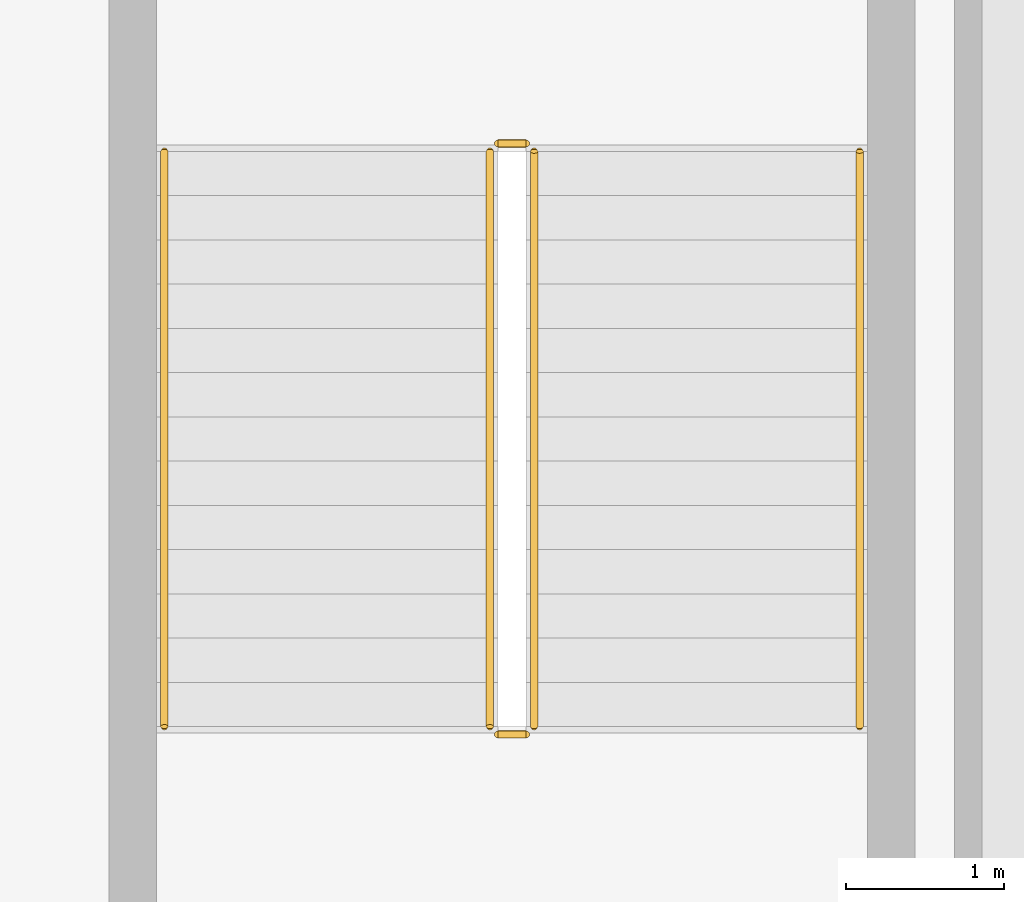
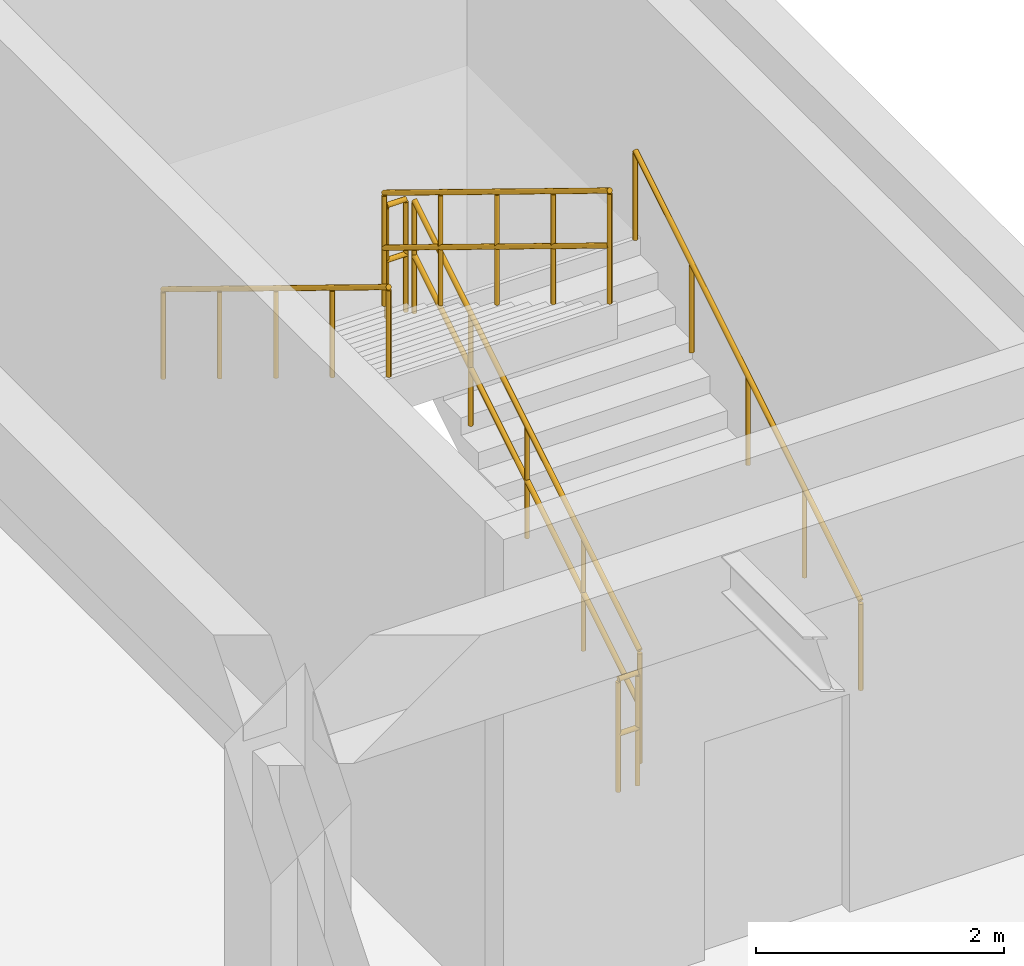
# One storey, part 106 of 109: 6 railings.
"""IFC4 building model written with IfcOpenShell, lengths in metres."""

from ifc_helpers import new_model, si_unit, direction, frame, origin, origin_2d, place, context, subcontext, project, spatial, circle, extrude, material, layer, layer_set, type_object, element, save


model = new_model("IFC4")

# Units and contexts
model_context = context("Model", 3, precision=1e-05, world=origin(), true_north=direction((0.0, 1.0)))
body_context = subcontext(model_context, "Body", "Model", "MODEL_VIEW")
ifc_project = project(units=[si_unit("LENGTHUNIT", "METRE"), si_unit("AREAUNIT", "SQUARE_METRE"), si_unit("VOLUMEUNIT", "CUBIC_METRE"), si_unit("PLANEANGLEUNIT", "RADIAN"), si_unit("MASSUNIT", "GRAM", prefix="KILO")], contexts=[model_context])

# Site, building, storey
site_placement = place(None, origin())
site = spatial("IfcSite", under=ifc_project, at=site_placement, CompositionType="ELEMENT")
building_placement = place(site_placement, origin())
building = spatial("IfcBuilding", under=site, at=building_placement, Name="Kivolera Central Railway Station", CompositionType="ELEMENT")
storey_placement = place(building_placement, frame((0.0, 0.0, 9.60009765625)))
storey = spatial("IfcBuildingStorey", under=building, at=storey_placement, Name="L02", CompositionType="ELEMENT", Elevation=9.60009765625)

# Railings
ifc_material = material(Name="Anodised aluminium", Category="aluminium")
ifc_layer_1 = layer(ifc_material, 0.048095703125, Name="Anodised aluminium")
ifc_layer_set_1 = layer_set([ifc_layer_1], Name="Anodised aluminium")
railing_type_1 = type_object("IfcRailingType", Name="RL-STAIR-GUARD", PredefinedType="GUARDRAIL", material=ifc_layer_set_1)
railing_1_placement = place(storey_placement, frame((192.989990234375, 92.9599609375, 0.17138671875)))
element("IfcRailing", 1, at=railing_1_placement, inside=storey, type_object=railing_type_1, Name="L02 ST11 stair guard 1", PredefinedType="GUARDRAIL", context=body_context, shape_type="SweptSolid", body=[
    extrude(circle(Radius=0.02392578125, at=origin_2d()), frame((0.0, 0.0, 1.10595703125), z_axis=(0.0, 0.852865859571, 0.52213008492), x_axis=(-1.0, 0.0, 0.0)), (0.0, 0.0, 1.0), 4.26806640625),
    extrude(circle(Radius=0.02392578125, at=origin_2d()), frame((0.0, 0.0, 0.56494140625), z_axis=(0.0, 0.852865859571, 0.52213008492), x_axis=(-1.0, 0.0, 0.0)), (0.0, 0.0, 1.0), 4.26806640625),
    extrude(circle(Radius=0.02099609375, at=origin_2d()), origin(), (0.0, 0.0, 1.0), 1.081787109375),
    extrude(circle(Radius=0.02099609375, at=origin_2d()), frame((0.0, 0.91015625, 0.55712890625)), (0.0, 0.0, 1.0), 1.081787109375),
    extrude(circle(Radius=0.02099609375, at=origin_2d()), frame((0.0, 1.820068359375, 1.1142578125)), (0.0, 0.0, 1.0), 1.081787109375),
    extrude(circle(Radius=0.02099609375, at=origin_2d()), frame((0.0, 2.72998046875, 1.67138671875)), (0.0, 0.0, 1.0), 1.081787109375),
    extrude(circle(Radius=0.02099609375, at=origin_2d()), frame((0.0, 3.64013671875, 2.228515625)), (0.0, 0.0, 1.0), 1.081787109375),
])
railing_2_placement = place(storey_placement, frame((192.93994140625, 96.64990234375, 2.39990234375)))
element("IfcRailing", 2, at=railing_2_placement, inside=storey, type_object=railing_type_1, Name="L02 ST11 stair guard 2", PredefinedType="GUARDRAIL", context=body_context, shape_type="SweptSolid", body=[
    extrude(circle(Radius=0.02392578125, at=origin_2d()), frame((0.0, 0.0, 1.10595703125), z_axis=(-1.0, 0.0, 0.0), x_axis=(0.0, -1.0, 0.0)), (0.0, 0.0, 1.0), 0.179931640625),
    extrude(circle(Radius=0.02392578125, at=origin_2d()), frame((0.0, 0.0, 0.56494140625), z_axis=(-1.0, 0.0, 0.0), x_axis=(0.0, -1.0, 0.0)), (0.0, 0.0, 1.0), 0.179931640625),
    extrude(circle(Radius=0.02099609375, at=origin_2d()), origin(), (0.0, 0.0, 1.0), 1.081787109375),
    extrude(circle(Radius=0.02099609375, at=origin_2d()), frame((-0.179931640625, 0.0, 0.0)), (0.0, 0.0, 1.0), 1.081787109375),
])
railing_3_placement = place(storey_placement, frame((192.7099609375, 96.60009765625, 2.5712890625)))
element("IfcRailing", 3, at=railing_3_placement, inside=storey, type_object=railing_type_1, Name="L02 ST11 stair guard 3", PredefinedType="GUARDRAIL", context=body_context, shape_type="SweptSolid", body=[
    extrude(circle(Radius=0.02392578125, at=origin_2d()), frame((0.0, 0.0, 1.10595703125), z_axis=(0.0, -0.852865859571, 0.52213008492), x_axis=(1.0, 0.0, 0.0)), (0.0, 0.0, 1.0), 4.26806640625),
    extrude(circle(Radius=0.02392578125, at=origin_2d()), frame((0.0, 0.0, 0.56494140625), z_axis=(0.0, -0.852865859571, 0.52213008492), x_axis=(1.0, 0.0, 0.0)), (0.0, 0.0, 1.0), 4.26806640625),
    extrude(circle(Radius=0.02099609375, at=origin_2d()), origin(), (0.0, 0.0, 1.0), 1.081787109375),
    extrude(circle(Radius=0.02099609375, at=origin_2d()), frame((0.0, -0.91015625, 0.55712890625)), (0.0, 0.0, 1.0), 1.081787109375),
    extrude(circle(Radius=0.02099609375, at=origin_2d()), frame((0.0, -1.820068359375, 1.1142578125)), (0.0, 0.0, 1.0), 1.081787109375),
    extrude(circle(Radius=0.02099609375, at=origin_2d()), frame((0.0, -2.72998046875, 1.67138671875)), (0.0, 0.0, 1.0), 1.081787109375),
    extrude(circle(Radius=0.02099609375, at=origin_2d()), frame((0.0, -3.64013671875, 2.228515625)), (0.0, 0.0, 1.0), 1.081787109375),
])
railing_4_placement = place(storey_placement, frame((192.93994140625, 92.909912109375, 0.0)))
element("IfcRailing", 4, at=railing_4_placement, inside=storey, type_object=railing_type_1, Name="L02 ST11 stair guard 4", PredefinedType="GUARDRAIL", context=body_context, shape_type="SweptSolid", body=[
    extrude(circle(Radius=0.02392578125, at=origin_2d()), frame((0.0, 0.0, 1.10595703125), z_axis=(-1.0, 0.0, 0.0), x_axis=(0.0, -1.0, 0.0)), (0.0, 0.0, 1.0), 0.179931640625),
    extrude(circle(Radius=0.02392578125, at=origin_2d()), frame((0.0, 0.0, 0.56494140625), z_axis=(-1.0, 0.0, 0.0), x_axis=(0.0, -1.0, 0.0)), (0.0, 0.0, 1.0), 0.179931640625),
    extrude(circle(Radius=0.02099609375, at=origin_2d()), origin(), (0.0, 0.0, 1.0), 1.081787109375),
    extrude(circle(Radius=0.02099609375, at=origin_2d()), frame((-0.179931640625, 0.0, 0.0)), (0.0, 0.0, 1.0), 1.081787109375),
])
ifc_layer_2 = layer(ifc_material, 0.048095703125, Name="Anodised aluminium")
ifc_layer_set_2 = layer_set([ifc_layer_2], Name="Anodised aluminium")
railing_type_2 = type_object("IfcRailingType", Name="RL-STAIR-HAND", PredefinedType="HANDRAIL", material=ifc_layer_set_2)
railing_5_placement = place(storey_placement, frame((195.050048828125, 92.9599609375, 0.17138671875)))
element("IfcRailing", 5, at=railing_5_placement, inside=storey, type_object=railing_type_2, Name="L02 ST11 stair handrail 1", PredefinedType="HANDRAIL", context=body_context, shape_type="SweptSolid", body=[
    extrude(circle(Radius=0.02392578125, at=origin_2d()), frame((0.0, 0.0, 0.8759765625), z_axis=(0.0, 0.852865859571, 0.52213008492), x_axis=(-1.0, 0.0, 0.0)), (0.0, 0.0, 1.0), 4.26806640625),
    extrude(circle(Radius=0.02099609375, at=origin_2d()), origin(), (0.0, 0.0, 1.0), 0.851806640625),
    extrude(circle(Radius=0.02099609375, at=origin_2d()), frame((0.0, 0.91015625, 0.55712890625)), (0.0, 0.0, 1.0), 0.851806640625),
    extrude(circle(Radius=0.02099609375, at=origin_2d()), frame((0.0, 1.820068359375, 1.1142578125)), (0.0, 0.0, 1.0), 0.851806640625),
    extrude(circle(Radius=0.02099609375, at=origin_2d()), frame((0.0, 2.72998046875, 1.67138671875)), (0.0, 0.0, 1.0), 0.851806640625),
    extrude(circle(Radius=0.02099609375, at=origin_2d()), frame((0.0, 3.64013671875, 2.228515625)), (0.0, 0.0, 1.0), 0.851806640625),
])
railing_6_placement = place(storey_placement, frame((190.64990234375, 96.60009765625, 2.5712890625)))
element("IfcRailing", 6, at=railing_6_placement, inside=storey, type_object=railing_type_2, Name="L02 ST11 stair handrail 2", PredefinedType="HANDRAIL", context=body_context, shape_type="SweptSolid", body=[
    extrude(circle(Radius=0.02392578125, at=origin_2d()), frame((0.0, 0.0, 0.8759765625), z_axis=(0.0, -0.852865859571, 0.52213008492), x_axis=(1.0, 0.0, 0.0)), (0.0, 0.0, 1.0), 4.26806640625),
    extrude(circle(Radius=0.02099609375, at=origin_2d()), origin(), (0.0, 0.0, 1.0), 0.851806640625),
    extrude(circle(Radius=0.02099609375, at=origin_2d()), frame((0.0, -0.91015625, 0.55712890625)), (0.0, 0.0, 1.0), 0.851806640625),
    extrude(circle(Radius=0.02099609375, at=origin_2d()), frame((0.0, -1.820068359375, 1.1142578125)), (0.0, 0.0, 1.0), 0.851806640625),
    extrude(circle(Radius=0.02099609375, at=origin_2d()), frame((0.0, -2.72998046875, 1.67138671875)), (0.0, 0.0, 1.0), 0.851806640625),
    extrude(circle(Radius=0.02099609375, at=origin_2d()), frame((0.0, -3.64013671875, 2.228515625)), (0.0, 0.0, 1.0), 0.851806640625),
])

save(model, "model.ifc")
